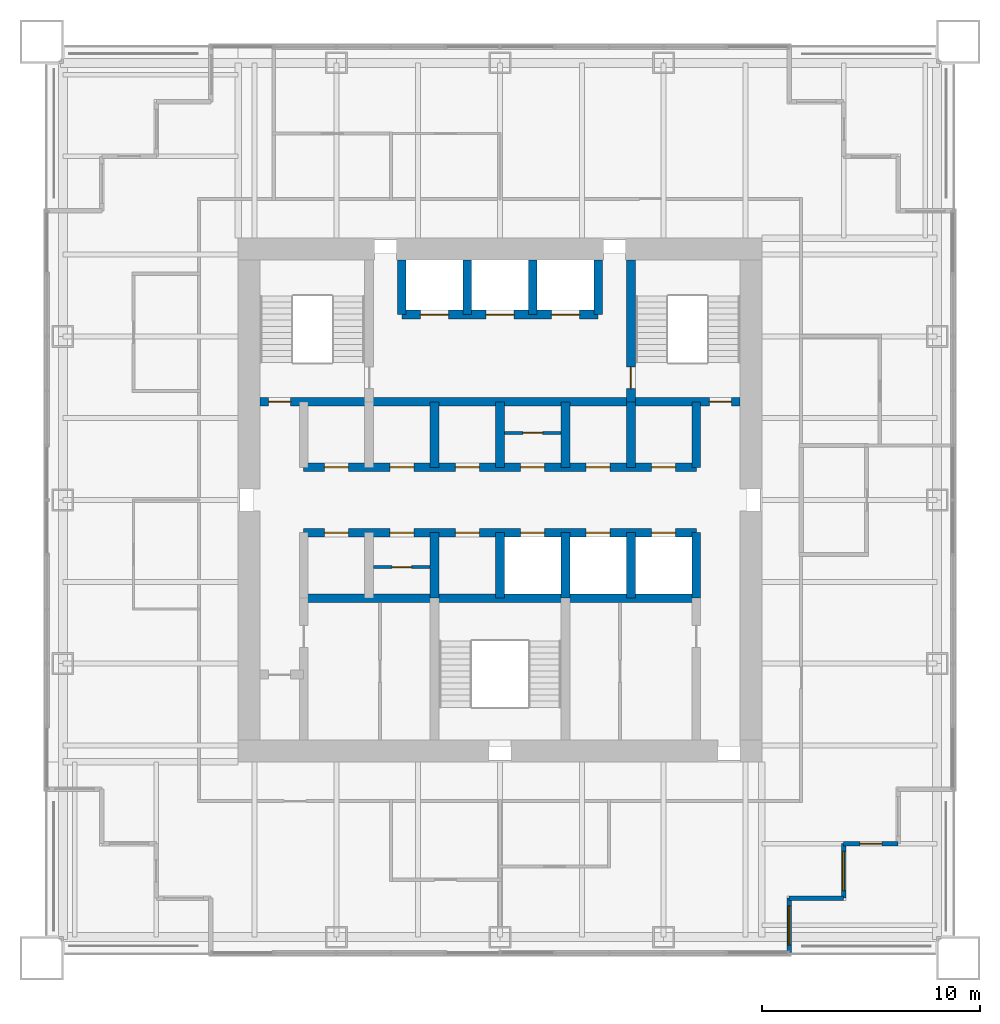
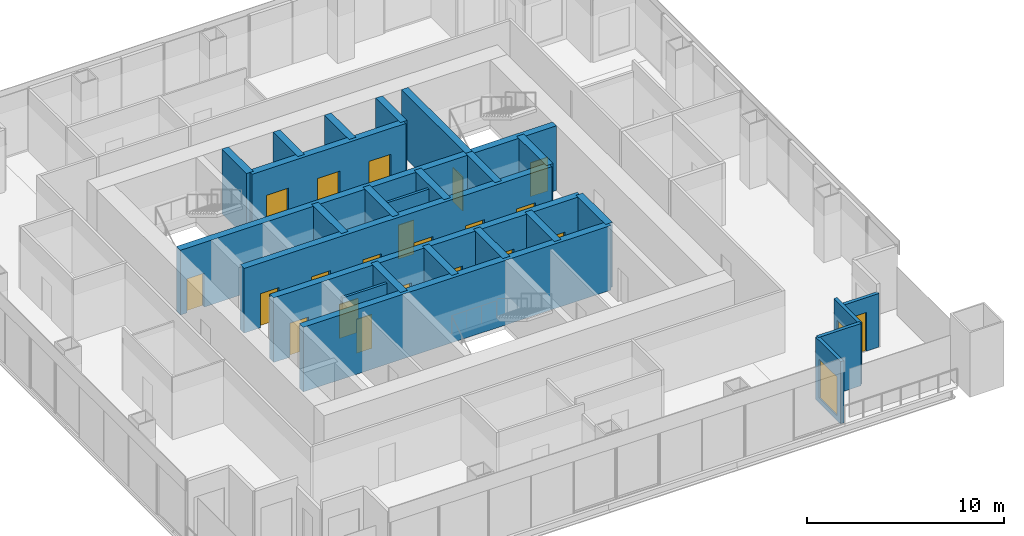
# One storey, part 10 of 14: 26 walls, 21 doors, 2 windows, 23 openings.
"""IFC4 building model written with IfcOpenShell, lengths in metres."""

from ifc_helpers import new_model, si_unit, direction, frame, frame_2d, origin, place, context, subcontext, project, spatial, rectangle, extrude, material, layer, layer_set, type_object, element, fill, save


model = new_model("IFC4")

# Units and contexts
model_context = context("Model", 3, precision=1e-05, world=origin(), true_north=direction((0.0, 1.0)))
body_context = subcontext(model_context, "Body", "Model", "MODEL_VIEW")
ifc_project = project(units=[si_unit("LENGTHUNIT", "METRE"), si_unit("AREAUNIT", "SQUARE_METRE"), si_unit("VOLUMEUNIT", "CUBIC_METRE"), si_unit("PLANEANGLEUNIT", "RADIAN"), si_unit("MASSUNIT", "GRAM", prefix="KILO")], contexts=[model_context])

# Site, building, storey
site_placement = place(None, origin())
site = spatial("IfcSite", under=ifc_project, at=site_placement, CompositionType="ELEMENT")
building_placement = place(site_placement, origin())
building = spatial("IfcBuilding", under=site, at=building_placement, Name="Tarangal Relay Tower", CompositionType="ELEMENT")
storey_placement = place(building_placement, frame((0.0, 0.0, 271.89990234375)))
storey = spatial("IfcBuildingStorey", under=building, at=storey_placement, Name="L59", CompositionType="ELEMENT", Elevation=271.89990234375)

# Wall, openings, doors
ifc_material_1 = material(Name="Concrete fc' 60 MPa", Category="concrete")
ifc_layer_1 = layer(ifc_material_1, 0.39990234375)
ifc_layer_set_1 = layer_set([ifc_layer_1], Name="Core inner wall 400")
wall_type_1 = type_object("IfcWallType", Name="Core inner wall 400", PredefinedType="SHEAR", material=ifc_layer_set_1)
wall_1_placement = place(storey_placement, frame((-11.0, 4.5, 0.0), z_axis=(0.0, 0.0, 1.0), x_axis=(1.0, 0.0, 0.0)))
wall_1 = element("IfcWall", 1, at=wall_1_placement, inside=storey, type_object=wall_type_1, Name="Core wall Y45 L59", PredefinedType="SHEAR", context=body_context, shape_type="SweptSolid", body=[
    extrude(rectangle(XDim=22.0, YDim=0.39990234375, at=frame_2d((11.0, 0.0))), origin(), (0.0, 0.0, 1.0), 4.0),
])
opening_1_placement = place(wall_1_placement, frame((0.39990234375, 0.0, 0.0)))
opening_1 = element("IfcOpeningElement", 2, at=opening_1_placement, cuts=wall_1, Name="Opening FD1", PredefinedType="OPENING", context=body_context, shape_type="SweptSolid", body=[
    extrude(rectangle(XDim=1.0, YDim=2.10009765625, at=frame_2d((0.5, 1.050048828125))), frame((0.0, 0.2099609375, 0.0), z_axis=(0.0, -1.0, 0.0), x_axis=(1.0, 0.0, 0.0)), (0.0, 0.0, 1.0), 0.419921875),
])
opening_2_placement = place(wall_1_placement, frame((20.60009765625, 0.0, 0.0)))
opening_2 = element("IfcOpeningElement", 3, at=opening_2_placement, cuts=wall_1, Name="Opening FD1", PredefinedType="OPENING", context=body_context, shape_type="SweptSolid", body=[
    extrude(rectangle(XDim=1.0, YDim=2.10009765625, at=frame_2d((0.5, 1.050048828125))), frame((0.0, 0.2099609375, 0.0), z_axis=(0.0, -1.0, 0.0), x_axis=(1.0, 0.0, 0.0)), (0.0, 0.0, 1.0), 0.419921875),
])
ifc_material_2 = material(Name="Steel door with hardwood frame", Category="steel")
door_type_1 = type_object("IfcDoorType", Name="Fire door 1000 x 2100", OperationType="SINGLE_SWING_LEFT", PredefinedType="DOOR", material=ifc_material_2)
door_1_placement = place(opening_1_placement, origin())
door_1 = element("IfcDoor", 4, at=door_1_placement, inside=storey, type_object=door_type_1, Name="Stair ST-A door from corridor L59", OperationType="SINGLE_SWING_LEFT", OverallHeight=2.10009765625, OverallWidth=1.0, PredefinedType="DOOR", context=body_context, shape_type="SweptSolid", body=[
    extrude(rectangle(XDim=1.0, YDim=2.10009765625, at=frame_2d((0.5, 1.050048828125))), frame((0.0, 0.02490234375, 0.0), z_axis=(0.0, -1.0, 0.0), x_axis=(1.0, 0.0, 0.0)), (0.0, 0.0, 1.0), 0.050048828125),
])
fill(opening_1, door_1)
door_2_placement = place(opening_2_placement, origin())
door_2 = element("IfcDoor", 5, at=door_2_placement, inside=storey, type_object=door_type_1, Name="Stair ST-B door from corridor L59", OperationType="SINGLE_SWING_LEFT", OverallHeight=2.10009765625, OverallWidth=1.0, PredefinedType="DOOR", context=body_context, shape_type="SweptSolid", body=[
    extrude(rectangle(XDim=1.0, YDim=2.10009765625, at=frame_2d((0.5, 1.050048828125))), frame((0.0, 0.02490234375, 0.0), z_axis=(0.0, -1.0, 0.0), x_axis=(1.0, 0.0, 0.0)), (0.0, 0.0, 1.0), 0.050048828125),
])
fill(opening_2, door_2)

wall_2_placement = place(storey_placement, frame((-9.0, 1.5, 0.0), z_axis=(0.0, 0.0, 1.0), x_axis=(1.0, 0.0, 0.0)))
wall_2 = element("IfcWall", 6, at=wall_2_placement, inside=storey, type_object=wall_type_1, Name="Core wall Y15 L59", PredefinedType="SHEAR", context=body_context, shape_type="SweptSolid", body=[
    extrude(rectangle(XDim=18.0, YDim=0.39990234375, at=frame_2d((9.0, 0.0))), origin(), (0.0, 0.0, 1.0), 4.0),
])
opening_3_placement = place(wall_2_placement, frame((0.949951171875, 0.0, 0.0)))
opening_3 = element("IfcOpeningElement", 7, at=opening_3_placement, cuts=wall_2, Name="Opening D4", PredefinedType="OPENING", context=body_context, shape_type="SweptSolid", body=[
    extrude(rectangle(XDim=1.10009765625, YDim=2.10009765625, at=frame_2d((0.550048828125, 1.050048828125))), frame((0.0, 0.2099609375, 0.0), z_axis=(0.0, -1.0, 0.0), x_axis=(1.0, 0.0, 0.0)), (0.0, 0.0, 1.0), 0.419921875),
])
opening_4_placement = place(wall_2_placement, frame((3.949951171875, 0.0, 0.0)))
opening_4 = element("IfcOpeningElement", 8, at=opening_4_placement, cuts=wall_2, Name="Opening D4", PredefinedType="OPENING", context=body_context, shape_type="SweptSolid", body=[
    extrude(rectangle(XDim=1.10009765625, YDim=2.10009765625, at=frame_2d((0.550048828125, 1.050048828125))), frame((0.0, 0.2099609375, 0.0), z_axis=(0.0, -1.0, 0.0), x_axis=(1.0, 0.0, 0.0)), (0.0, 0.0, 1.0), 0.419921875),
])
opening_5_placement = place(wall_2_placement, frame((6.949951171875, 0.0, 0.0)))
opening_5 = element("IfcOpeningElement", 9, at=opening_5_placement, cuts=wall_2, Name="Opening D4", PredefinedType="OPENING", context=body_context, shape_type="SweptSolid", body=[
    extrude(rectangle(XDim=1.10009765625, YDim=2.10009765625, at=frame_2d((0.550048828125, 1.050048828125))), frame((0.0, 0.2099609375, 0.0), z_axis=(0.0, -1.0, 0.0), x_axis=(1.0, 0.0, 0.0)), (0.0, 0.0, 1.0), 0.419921875),
])
opening_6_placement = place(wall_2_placement, frame((9.949951171875, 0.0, 0.0)))
opening_6 = element("IfcOpeningElement", 10, at=opening_6_placement, cuts=wall_2, Name="Opening D4", PredefinedType="OPENING", context=body_context, shape_type="SweptSolid", body=[
    extrude(rectangle(XDim=1.10009765625, YDim=2.10009765625, at=frame_2d((0.550048828125, 1.050048828125))), frame((0.0, 0.2099609375, 0.0), z_axis=(0.0, -1.0, 0.0), x_axis=(1.0, 0.0, 0.0)), (0.0, 0.0, 1.0), 0.419921875),
])
opening_7_placement = place(wall_2_placement, frame((12.949951171875, 0.0, 0.0)))
opening_7 = element("IfcOpeningElement", 11, at=opening_7_placement, cuts=wall_2, Name="Opening D4", PredefinedType="OPENING", context=body_context, shape_type="SweptSolid", body=[
    extrude(rectangle(XDim=1.10009765625, YDim=2.10009765625, at=frame_2d((0.550048828125, 1.050048828125))), frame((0.0, 0.2099609375, 0.0), z_axis=(0.0, -1.0, 0.0), x_axis=(1.0, 0.0, 0.0)), (0.0, 0.0, 1.0), 0.419921875),
])
opening_8_placement = place(wall_2_placement, frame((15.949951171875, 0.0, 0.0)))
opening_8 = element("IfcOpeningElement", 12, at=opening_8_placement, cuts=wall_2, Name="Opening D4", PredefinedType="OPENING", context=body_context, shape_type="SweptSolid", body=[
    extrude(rectangle(XDim=1.10009765625, YDim=2.10009765625, at=frame_2d((0.550048828125, 1.050048828125))), frame((0.0, 0.2099609375, 0.0), z_axis=(0.0, -1.0, 0.0), x_axis=(1.0, 0.0, 0.0)), (0.0, 0.0, 1.0), 0.419921875),
])
door_type_2 = type_object("IfcDoorType", Name="Core room door 1100 x 2100", OperationType="SINGLE_SWING_RIGHT", PredefinedType="DOOR", material=ifc_material_2)
door_3_placement = place(opening_3_placement, origin())
door_3 = element("IfcDoor", 13, at=door_3_placement, inside=storey, type_object=door_type_2, Name="Door D4 to cleaner's store L59-D1", OperationType="SINGLE_SWING_RIGHT", OverallHeight=2.10009765625, OverallWidth=1.10009765625, PredefinedType="DOOR", context=body_context, shape_type="SweptSolid", body=[
    extrude(rectangle(XDim=1.10009765625, YDim=2.10009765625, at=frame_2d((0.550048828125, 1.050048828125))), frame((0.0, 0.02490234375, 0.0), z_axis=(0.0, -1.0, 0.0), x_axis=(1.0, 0.0, 0.0)), (0.0, 0.0, 1.0), 0.050048828125),
])
fill(opening_3, door_3)
door_4_placement = place(opening_4_placement, origin())
door_4 = element("IfcDoor", 14, at=door_4_placement, inside=storey, type_object=door_type_2, Name="Door D4 to staff wc L59-D2", OperationType="SINGLE_SWING_RIGHT", OverallHeight=2.10009765625, OverallWidth=1.10009765625, PredefinedType="DOOR", context=body_context, shape_type="SweptSolid", body=[
    extrude(rectangle(XDim=1.10009765625, YDim=2.10009765625, at=frame_2d((0.550048828125, 1.050048828125))), frame((0.0, 0.02490234375, 0.0), z_axis=(0.0, -1.0, 0.0), x_axis=(1.0, 0.0, 0.0)), (0.0, 0.0, 1.0), 0.050048828125),
])
fill(opening_4, door_4)
door_5_placement = place(opening_5_placement, origin())
door_5 = element("IfcDoor", 15, at=door_5_placement, inside=storey, type_object=door_type_2, Name="Door D4 to staff pantry L59-D3", OperationType="SINGLE_SWING_RIGHT", OverallHeight=2.10009765625, OverallWidth=1.10009765625, PredefinedType="DOOR", context=body_context, shape_type="SweptSolid", body=[
    extrude(rectangle(XDim=1.10009765625, YDim=2.10009765625, at=frame_2d((0.550048828125, 1.050048828125))), frame((0.0, 0.02490234375, 0.0), z_axis=(0.0, -1.0, 0.0), x_axis=(1.0, 0.0, 0.0)), (0.0, 0.0, 1.0), 0.050048828125),
])
fill(opening_5, door_5)
door_6_placement = place(opening_6_placement, origin())
door_6 = element("IfcDoor", 16, at=door_6_placement, inside=storey, type_object=door_type_2, Name="Door D4 to it room L59-T1", OperationType="SINGLE_SWING_RIGHT", OverallHeight=2.10009765625, OverallWidth=1.10009765625, PredefinedType="DOOR", context=body_context, shape_type="SweptSolid", body=[
    extrude(rectangle(XDim=1.10009765625, YDim=2.10009765625, at=frame_2d((0.550048828125, 1.050048828125))), frame((0.0, 0.02490234375, 0.0), z_axis=(0.0, -1.0, 0.0), x_axis=(1.0, 0.0, 0.0)), (0.0, 0.0, 1.0), 0.050048828125),
])
fill(opening_6, door_6)
door_7_placement = place(opening_7_placement, origin())
door_7 = element("IfcDoor", 17, at=door_7_placement, inside=storey, type_object=door_type_2, Name="Door D4 to cleaner's store L59-T2", OperationType="SINGLE_SWING_RIGHT", OverallHeight=2.10009765625, OverallWidth=1.10009765625, PredefinedType="DOOR", context=body_context, shape_type="SweptSolid", body=[
    extrude(rectangle(XDim=1.10009765625, YDim=2.10009765625, at=frame_2d((0.550048828125, 1.050048828125))), frame((0.0, 0.02490234375, 0.0), z_axis=(0.0, -1.0, 0.0), x_axis=(1.0, 0.0, 0.0)), (0.0, 0.0, 1.0), 0.050048828125),
])
fill(opening_7, door_7)
door_8_placement = place(opening_8_placement, origin())
door_8 = element("IfcDoor", 18, at=door_8_placement, inside=storey, type_object=door_type_2, Name="Door D4 to staff wc L59-T3", OperationType="SINGLE_SWING_RIGHT", OverallHeight=2.10009765625, OverallWidth=1.10009765625, PredefinedType="DOOR", context=body_context, shape_type="SweptSolid", body=[
    extrude(rectangle(XDim=1.10009765625, YDim=2.10009765625, at=frame_2d((0.550048828125, 1.050048828125))), frame((0.0, 0.02490234375, 0.0), z_axis=(0.0, -1.0, 0.0), x_axis=(1.0, 0.0, 0.0)), (0.0, 0.0, 1.0), 0.050048828125),
])
fill(opening_8, door_8)

wall_3_placement = place(storey_placement, frame((-9.0, -1.5, 0.0), z_axis=(0.0, 0.0, 1.0), x_axis=(1.0, 0.0, 0.0)))
wall_3 = element("IfcWall", 19, at=wall_3_placement, inside=storey, type_object=wall_type_1, Name="Core wall YM15 L59", PredefinedType="SHEAR", context=body_context, shape_type="SweptSolid", body=[
    extrude(rectangle(XDim=18.0, YDim=0.39990234375, at=frame_2d((9.0, 0.0))), origin(), (0.0, 0.0, 1.0), 4.0),
])
opening_9_placement = place(wall_3_placement, frame((9.949951171875, 0.0, 0.0)))
opening_9 = element("IfcOpeningElement", 20, at=opening_9_placement, cuts=wall_3, Name="Opening LD1", PredefinedType="OPENING", context=body_context, shape_type="SweptSolid", body=[
    extrude(rectangle(XDim=1.10009765625, YDim=2.10009765625, at=frame_2d((0.550048828125, 1.050048828125))), frame((0.0, 0.2099609375, 0.0), z_axis=(0.0, -1.0, 0.0), x_axis=(1.0, 0.0, 0.0)), (0.0, 0.0, 1.0), 0.419921875),
])
opening_10_placement = place(wall_3_placement, frame((12.949951171875, 0.0, 0.0)))
opening_10 = element("IfcOpeningElement", 21, at=opening_10_placement, cuts=wall_3, Name="Opening LD1", PredefinedType="OPENING", context=body_context, shape_type="SweptSolid", body=[
    extrude(rectangle(XDim=1.10009765625, YDim=2.10009765625, at=frame_2d((0.550048828125, 1.050048828125))), frame((0.0, 0.2099609375, 0.0), z_axis=(0.0, -1.0, 0.0), x_axis=(1.0, 0.0, 0.0)), (0.0, 0.0, 1.0), 0.419921875),
])
opening_11_placement = place(wall_3_placement, frame((15.949951171875, 0.0, 0.0)))
opening_11 = element("IfcOpeningElement", 22, at=opening_11_placement, cuts=wall_3, Name="Opening LD1", PredefinedType="OPENING", context=body_context, shape_type="SweptSolid", body=[
    extrude(rectangle(XDim=1.10009765625, YDim=2.10009765625, at=frame_2d((0.550048828125, 1.050048828125))), frame((0.0, 0.2099609375, 0.0), z_axis=(0.0, -1.0, 0.0), x_axis=(1.0, 0.0, 0.0)), (0.0, 0.0, 1.0), 0.419921875),
])
opening_12_placement = place(wall_3_placement, frame((0.949951171875, 0.0, 0.0)))
opening_12 = element("IfcOpeningElement", 23, at=opening_12_placement, cuts=wall_3, Name="Opening D4", PredefinedType="OPENING", context=body_context, shape_type="SweptSolid", body=[
    extrude(rectangle(XDim=1.10009765625, YDim=2.10009765625, at=frame_2d((0.550048828125, 1.050048828125))), frame((0.0, 0.2099609375, 0.0), z_axis=(0.0, -1.0, 0.0), x_axis=(1.0, 0.0, 0.0)), (0.0, 0.0, 1.0), 0.419921875),
])
opening_13_placement = place(wall_3_placement, frame((3.949951171875, 0.0, 0.0)))
opening_13 = element("IfcOpeningElement", 24, at=opening_13_placement, cuts=wall_3, Name="Opening D4", PredefinedType="OPENING", context=body_context, shape_type="SweptSolid", body=[
    extrude(rectangle(XDim=1.10009765625, YDim=2.10009765625, at=frame_2d((0.550048828125, 1.050048828125))), frame((0.0, 0.2099609375, 0.0), z_axis=(0.0, -1.0, 0.0), x_axis=(1.0, 0.0, 0.0)), (0.0, 0.0, 1.0), 0.419921875),
])
opening_14_placement = place(wall_3_placement, frame((6.949951171875, 0.0, 0.0)))
opening_14 = element("IfcOpeningElement", 25, at=opening_14_placement, cuts=wall_3, Name="Opening D4", PredefinedType="OPENING", context=body_context, shape_type="SweptSolid", body=[
    extrude(rectangle(XDim=1.10009765625, YDim=2.10009765625, at=frame_2d((0.550048828125, 1.050048828125))), frame((0.0, 0.2099609375, 0.0), z_axis=(0.0, -1.0, 0.0), x_axis=(1.0, 0.0, 0.0)), (0.0, 0.0, 1.0), 0.419921875),
])
door_9_placement = place(opening_12_placement, origin())
door_9 = element("IfcDoor", 26, at=door_9_placement, inside=storey, type_object=door_type_2, Name="Door D4 to staff pantry L59-S1", OperationType="SINGLE_SWING_RIGHT", OverallHeight=2.10009765625, OverallWidth=1.10009765625, PredefinedType="DOOR", context=body_context, shape_type="SweptSolid", body=[
    extrude(rectangle(XDim=1.10009765625, YDim=2.10009765625, at=frame_2d((0.550048828125, 1.050048828125))), frame((0.0, 0.02490234375, 0.0), z_axis=(0.0, -1.0, 0.0), x_axis=(1.0, 0.0, 0.0)), (0.0, 0.0, 1.0), 0.050048828125),
])
fill(opening_12, door_9)
door_10_placement = place(opening_13_placement, origin())
door_10 = element("IfcDoor", 27, at=door_10_placement, inside=storey, type_object=door_type_2, Name="Door D4 to it room L59-S2", OperationType="SINGLE_SWING_RIGHT", OverallHeight=2.10009765625, OverallWidth=1.10009765625, PredefinedType="DOOR", context=body_context, shape_type="SweptSolid", body=[
    extrude(rectangle(XDim=1.10009765625, YDim=2.10009765625, at=frame_2d((0.550048828125, 1.050048828125))), frame((0.0, 0.02490234375, 0.0), z_axis=(0.0, -1.0, 0.0), x_axis=(1.0, 0.0, 0.0)), (0.0, 0.0, 1.0), 0.050048828125),
])
fill(opening_13, door_10)
door_11_placement = place(opening_14_placement, origin())
door_11 = element("IfcDoor", 28, at=door_11_placement, inside=storey, type_object=door_type_2, Name="Door D4 to cleaner's store L59-S3", OperationType="SINGLE_SWING_RIGHT", OverallHeight=2.10009765625, OverallWidth=1.10009765625, PredefinedType="DOOR", context=body_context, shape_type="SweptSolid", body=[
    extrude(rectangle(XDim=1.10009765625, YDim=2.10009765625, at=frame_2d((0.550048828125, 1.050048828125))), frame((0.0, 0.02490234375, 0.0), z_axis=(0.0, -1.0, 0.0), x_axis=(1.0, 0.0, 0.0)), (0.0, 0.0, 1.0), 0.050048828125),
])
fill(opening_14, door_11)
door_type_3 = type_object("IfcDoorType", Name="Lift landing door 1100 x 2100", OperationType="SLIDING_TO_LEFT", PredefinedType="DOOR", material=ifc_material_2)
door_12_placement = place(opening_9_placement, origin())
door_12 = element("IfcDoor", 29, at=door_12_placement, inside=storey, type_object=door_type_3, Name="Lift OH1 landing door L59", OperationType="SLIDING_TO_LEFT", OverallHeight=2.10009765625, OverallWidth=1.10009765625, PredefinedType="DOOR", context=body_context, shape_type="SweptSolid", body=[
    extrude(rectangle(XDim=1.10009765625, YDim=2.10009765625, at=frame_2d((0.550048828125, 1.050048828125))), frame((0.0, 0.02490234375, 0.0), z_axis=(0.0, -1.0, 0.0), x_axis=(1.0, 0.0, 0.0)), (0.0, 0.0, 1.0), 0.050048828125),
])
fill(opening_9, door_12)
door_13_placement = place(opening_10_placement, origin())
door_13 = element("IfcDoor", 30, at=door_13_placement, inside=storey, type_object=door_type_3, Name="Lift OH2 landing door L59", OperationType="SLIDING_TO_LEFT", OverallHeight=2.10009765625, OverallWidth=1.10009765625, PredefinedType="DOOR", context=body_context, shape_type="SweptSolid", body=[
    extrude(rectangle(XDim=1.10009765625, YDim=2.10009765625, at=frame_2d((0.550048828125, 1.050048828125))), frame((0.0, 0.02490234375, 0.0), z_axis=(0.0, -1.0, 0.0), x_axis=(1.0, 0.0, 0.0)), (0.0, 0.0, 1.0), 0.050048828125),
])
fill(opening_10, door_13)
door_14_placement = place(opening_11_placement, origin())
door_14 = element("IfcDoor", 31, at=door_14_placement, inside=storey, type_object=door_type_3, Name="Lift OH3 landing door L59", OperationType="SLIDING_TO_LEFT", OverallHeight=2.10009765625, OverallWidth=1.10009765625, PredefinedType="DOOR", context=body_context, shape_type="SweptSolid", body=[
    extrude(rectangle(XDim=1.10009765625, YDim=2.10009765625, at=frame_2d((0.550048828125, 1.050048828125))), frame((0.0, 0.02490234375, 0.0), z_axis=(0.0, -1.0, 0.0), x_axis=(1.0, 0.0, 0.0)), (0.0, 0.0, 1.0), 0.050048828125),
])
fill(opening_11, door_14)

# Wall
wall_4_placement = place(storey_placement, frame((-9.0, -4.5, 0.0), z_axis=(0.0, 0.0, 1.0), x_axis=(1.0, 0.0, 0.0)))
element("IfcWall", 32, at=wall_4_placement, inside=storey, type_object=wall_type_1, Name="Core wall YM45 L59", PredefinedType="SHEAR", context=body_context, shape_type="SweptSolid", body=[
    extrude(rectangle(XDim=18.0, YDim=0.39990234375, at=frame_2d((9.0, 0.0))), origin(), (0.0, 0.0, 1.0), 4.0),
])

# Wall, openings, doors
wall_5_placement = place(storey_placement, frame((-4.5, 8.5, 0.0), z_axis=(0.0, 0.0, 1.0), x_axis=(1.0, 0.0, 0.0)))
wall_5 = element("IfcWall", 33, at=wall_5_placement, inside=storey, type_object=wall_type_1, Name="Core wall Y85 L59", PredefinedType="SHEAR", context=body_context, shape_type="SweptSolid", body=[
    extrude(rectangle(XDim=9.0, YDim=0.39990234375, at=frame_2d((4.5, 0.0))), origin(), (0.0, 0.0, 1.0), 4.0),
])
opening_15_placement = place(wall_5_placement, frame((0.85009765625, 0.0, 0.0)))
opening_15 = element("IfcOpeningElement", 34, at=opening_15_placement, cuts=wall_5, Name="Opening LD2", PredefinedType="OPENING", context=body_context, shape_type="SweptSolid", body=[
    extrude(rectangle(XDim=1.300048828125, YDim=2.39990234375, at=frame_2d((0.64990234375, 1.199951171875))), frame((0.0, 0.2099609375, 0.0), z_axis=(0.0, -1.0, 0.0), x_axis=(1.0, 0.0, 0.0)), (0.0, 0.0, 1.0), 0.419921875),
])
opening_16_placement = place(wall_5_placement, frame((6.85009765625, 0.0, 0.0)))
opening_16 = element("IfcOpeningElement", 35, at=opening_16_placement, cuts=wall_5, Name="Opening LD2", PredefinedType="OPENING", context=body_context, shape_type="SweptSolid", body=[
    extrude(rectangle(XDim=1.300048828125, YDim=2.39990234375, at=frame_2d((0.64990234375, 1.199951171875))), frame((0.0, 0.2099609375, 0.0), z_axis=(0.0, -1.0, 0.0), x_axis=(1.0, 0.0, 0.0)), (0.0, 0.0, 1.0), 0.419921875),
])
opening_17_placement = place(wall_5_placement, frame((3.85009765625, 0.0, 0.0)))
opening_17 = element("IfcOpeningElement", 36, at=opening_17_placement, cuts=wall_5, Name="Opening LD2", PredefinedType="OPENING", context=body_context, shape_type="SweptSolid", body=[
    extrude(rectangle(XDim=1.300048828125, YDim=2.39990234375, at=frame_2d((0.64990234375, 1.199951171875))), frame((0.0, 0.2099609375, 0.0), z_axis=(0.0, -1.0, 0.0), x_axis=(1.0, 0.0, 0.0)), (0.0, 0.0, 1.0), 0.419921875),
])
door_type_4 = type_object("IfcDoorType", Name="Lift landing door 1300 x 2400", OperationType="SLIDING_TO_LEFT", PredefinedType="DOOR", material=ifc_material_2)
door_15_placement = place(opening_15_placement, origin())
door_15 = element("IfcDoor", 37, at=door_15_placement, inside=storey, type_object=door_type_4, Name="Lift FF1 landing door L59", OperationType="SLIDING_TO_LEFT", OverallHeight=2.39990234375, OverallWidth=1.300048828125, PredefinedType="DOOR", context=body_context, shape_type="SweptSolid", body=[
    extrude(rectangle(XDim=1.300048828125, YDim=2.39990234375, at=frame_2d((0.64990234375, 1.199951171875))), frame((0.0, 0.02490234375, 0.0), z_axis=(0.0, -1.0, 0.0), x_axis=(1.0, 0.0, 0.0)), (0.0, 0.0, 1.0), 0.050048828125),
])
fill(opening_15, door_15)
door_16_placement = place(opening_16_placement, origin())
door_16 = element("IfcDoor", 38, at=door_16_placement, inside=storey, type_object=door_type_4, Name="Lift FF2 landing door L59", OperationType="SLIDING_TO_LEFT", OverallHeight=2.39990234375, OverallWidth=1.300048828125, PredefinedType="DOOR", context=body_context, shape_type="SweptSolid", body=[
    extrude(rectangle(XDim=1.300048828125, YDim=2.39990234375, at=frame_2d((0.64990234375, 1.199951171875))), frame((0.0, 0.02490234375, 0.0), z_axis=(0.0, -1.0, 0.0), x_axis=(1.0, 0.0, 0.0)), (0.0, 0.0, 1.0), 0.050048828125),
])
fill(opening_16, door_16)
door_17_placement = place(opening_17_placement, origin())
door_17 = element("IfcDoor", 39, at=door_17_placement, inside=storey, type_object=door_type_4, Name="Lift SV1 landing door L59", OperationType="SLIDING_TO_LEFT", OverallHeight=2.39990234375, OverallWidth=1.300048828125, PredefinedType="DOOR", context=body_context, shape_type="SweptSolid", body=[
    extrude(rectangle(XDim=1.300048828125, YDim=2.39990234375, at=frame_2d((0.64990234375, 1.199951171875))), frame((0.0, 0.02490234375, 0.0), z_axis=(0.0, -1.0, 0.0), x_axis=(1.0, 0.0, 0.0)), (0.0, 0.0, 1.0), 0.050048828125),
])
fill(opening_17, door_17)

# Walls
for number, where, z_axis, x_axis, name in (
    (40, (9.0, 1.5, 0.0), (0.0, 0.0, 1.0), (0.0, 1.0, 0.0), "Core wall X9N L59"),
    (41, (9.0, -4.5, 0.0), (0.0, 0.0, 1.0), (0.0, 1.0, 0.0), "Core wall X9S L59"),
    (42, (-3.0, 1.5, 0.0), (0.0, 0.0, 1.0), (0.0, 1.0, 0.0), "Core wall XM3N L59"),
    (43, (0.0, 1.5, 0.0), (0.0, 0.0, 1.0), (0.0, 1.0, 0.0), "Core wall X0N L59"),
    (44, (3.0, 1.5, 0.0), (0.0, 0.0, 1.0), (0.0, 1.0, 0.0), "Core wall X3N L59"),
    (45, (6.0, 1.5, 0.0), (0.0, 0.0, 1.0), (0.0, 1.0, 0.0), "Core wall X6N L59"),
    (46, (-3.0, -4.5, 0.0), (0.0, 0.0, 1.0), (0.0, 1.0, 0.0), "Core wall XM3S L59"),
    (47, (0.0, -4.5, 0.0), (0.0, 0.0, 1.0), (0.0, 1.0, 0.0), "Core wall X0S L59"),
    (48, (3.0, -4.5, 0.0), (0.0, 0.0, 1.0), (0.0, 1.0, 0.0), "Core wall X3S L59"),
    (49, (6.0, -4.5, 0.0), (0.0, 0.0, 1.0), (0.0, 1.0, 0.0), "Core wall X6S L59"),
):
    element("IfcWall", number, at=place(storey_placement, frame(where, z_axis=z_axis, x_axis=x_axis)), inside=storey, type_object=wall_type_1, Name=name, PredefinedType="SHEAR", context=body_context, shape_type="SweptSolid", body=[
        extrude(rectangle(XDim=3.0, YDim=0.39990234375, at=frame_2d((1.5, 0.0))), origin(), (0.0, 0.0, 1.0), 4.0),
    ])

# Wall, opening, door
wall_6_placement = place(storey_placement, frame((6.0, 4.5, 0.0), z_axis=(0.0, 0.0, 1.0), x_axis=(0.0, 1.0, 0.0)))
wall_6 = element("IfcWall", 50, at=wall_6_placement, inside=storey, type_object=wall_type_1, Name="Core wall X6 L59", PredefinedType="SHEAR", context=body_context, shape_type="SweptSolid", body=[
    extrude(rectangle(XDim=6.5, YDim=0.39990234375, at=frame_2d((3.25, 0.0))), origin(), (0.0, 0.0, 1.0), 4.0),
])
opening_18_placement = place(wall_6_placement, frame((0.60009765625, 0.0, 0.0)))
opening_18 = element("IfcOpeningElement", 51, at=opening_18_placement, cuts=wall_6, Name="Opening FD1", PredefinedType="OPENING", context=body_context, shape_type="SweptSolid", body=[
    extrude(rectangle(XDim=1.0, YDim=2.10009765625, at=frame_2d((0.5, 1.050048828125))), frame((0.0, 0.2099609375, 0.0), z_axis=(0.0, -1.0, 0.0), x_axis=(1.0, 0.0, 0.0)), (0.0, 0.0, 1.0), 0.419921875),
])
door_18_placement = place(opening_18_placement, origin())
door_18 = element("IfcDoor", 52, at=door_18_placement, inside=storey, type_object=door_type_1, Name="Stair ST-B door from fire-fighting lobby L59", OperationType="SINGLE_SWING_LEFT", OverallHeight=2.10009765625, OverallWidth=1.0, PredefinedType="DOOR", context=body_context, shape_type="SweptSolid", body=[
    extrude(rectangle(XDim=1.0, YDim=2.10009765625, at=frame_2d((0.5, 1.050048828125))), frame((0.0, 0.02490234375, 0.0), z_axis=(0.0, -1.0, 0.0), x_axis=(1.0, 0.0, 0.0)), (0.0, 0.0, 1.0), 0.050048828125),
])
fill(opening_18, door_18)

# Walls
for number, where, z_axis, x_axis, name in (
    (53, (-4.5, 8.5, 0.0), (0.0, 0.0, 1.0), (0.0, 1.0, 0.0), "Core wall XM45 L59"),
    (54, (4.5, 8.5, 0.0), (0.0, 0.0, 1.0), (0.0, 1.0, 0.0), "Core wall X45 L59"),
    (55, (-1.5, 8.5, 0.0), (0.0, 0.0, 1.0), (0.0, 1.0, 0.0), "Core wall XM15 L59"),
    (56, (1.5, 8.5, 0.0), (0.0, 0.0, 1.0), (0.0, 1.0, 0.0), "Core wall X15 L59"),
):
    element("IfcWall", number, at=place(storey_placement, frame(where, z_axis=z_axis, x_axis=x_axis)), inside=storey, type_object=wall_type_1, Name=name, PredefinedType="SHEAR", context=body_context, shape_type="SweptSolid", body=[
        extrude(rectangle(XDim=2.5, YDim=0.39990234375, at=frame_2d((1.25, 0.0))), origin(), (0.0, 0.0, 1.0), 4.0),
    ])

# Wall, opening, door
ifc_material_3 = material(Name="Black metal clad insulated wall", Category="steel")
ifc_layer_2 = layer(ifc_material_3, 0.199951171875)
ifc_layer_set_2 = layer_set([ifc_layer_2], Name="Corner wall metal clad 200")
wall_type_2 = type_object("IfcWallType", Name="Corner wall metal clad 200", PredefinedType="SOLIDWALL", material=ifc_layer_set_2)
wall_7_placement = place(storey_placement, frame((18.25, -15.75, 0.0), z_axis=(0.0, 0.0, 1.0), x_axis=(-1.0, 0.0, 0.0)))
wall_7 = element("IfcWall", 57, at=wall_7_placement, inside=storey, type_object=wall_type_2, Name="Facade wall E facade L59", PredefinedType="SOLIDWALL", context=body_context, shape_type="SweptSolid", body=[
    extrude(rectangle(XDim=2.5, YDim=0.199951171875, at=frame_2d((1.25, 0.0))), origin(), (0.0, 0.0, 1.0), 3.316650390625),
])
opening_19_placement = place(wall_7_placement, frame((0.75, 0.0, 0.0)))
opening_19 = element("IfcOpeningElement", 58, at=opening_19_placement, cuts=wall_7, Name="Opening TD1", PredefinedType="OPENING", context=body_context, shape_type="SweptSolid", body=[
    extrude(rectangle(XDim=1.0, YDim=2.39990234375, at=frame_2d((0.5, 1.199951171875))), frame((0.0, 0.10986328125, 0.0), z_axis=(0.0, -1.0, 0.0), x_axis=(1.0, 0.0, 0.0)), (0.0, 0.0, 1.0), 0.219970703125),
])
ifc_material_4 = material(Name="Aluminium glazed door", Category="aluminium")
door_type_5 = type_object("IfcDoorType", Name="Terrace door 1000 x 2400", OperationType="SINGLE_SWING_RIGHT", PredefinedType="DOOR", material=ifc_material_4)
door_19_placement = place(opening_19_placement, origin())
door_19 = element("IfcDoor", 59, at=door_19_placement, inside=storey, type_object=door_type_5, Name="Terrace door TD1 SE L59", OperationType="SINGLE_SWING_RIGHT", OverallHeight=2.39990234375, OverallWidth=1.0, PredefinedType="DOOR", context=body_context, shape_type="SweptSolid", body=[
    extrude(rectangle(XDim=1.0, YDim=2.39990234375, at=frame_2d((0.5, 1.199951171875))), frame((0.0, 0.02490234375, 0.0), z_axis=(0.0, -1.0, 0.0), x_axis=(1.0, 0.0, 0.0)), (0.0, 0.0, 1.0), 0.050048828125),
])
fill(opening_19, door_19)

# Wall, opening, window
wall_8_placement = place(storey_placement, frame((15.75, -15.75, 0.0), z_axis=(0.0, 0.0, 1.0), x_axis=(0.0, -1.0, 0.0)))
wall_8 = element("IfcWall", 60, at=wall_8_placement, inside=storey, type_object=wall_type_2, Name="Facade wall E facade L59", PredefinedType="SOLIDWALL", context=body_context, shape_type="SweptSolid", body=[
    extrude(rectangle(XDim=2.5, YDim=0.199951171875, at=frame_2d((1.25, 0.0))), origin(), (0.0, 0.0, 1.0), 3.85009765625),
])
opening_20_placement = place(wall_8_placement, frame((0.35009765625, 0.0, 0.300048828125)))
opening_20 = element("IfcOpeningElement", 61, at=opening_20_placement, cuts=wall_8, Name="Opening WN2", PredefinedType="OPENING", context=body_context, shape_type="SweptSolid", body=[
    extrude(rectangle(XDim=1.800048828125, YDim=2.39990234375, at=frame_2d((0.89990234375, 1.199951171875))), frame((0.0, 0.10986328125, 0.0), z_axis=(0.0, -1.0, 0.0), x_axis=(1.0, 0.0, 0.0)), (0.0, 0.0, 1.0), 0.219970703125),
])
ifc_material_5 = material(Name="Dark tinted double glazing in black aluminium frame", Category="aluminium")
window_type = type_object("IfcWindowType", Name="Corner window 1800 x 2400", PartitioningType="SINGLE_PANEL", PredefinedType="WINDOW", material=ifc_material_5)
window_1_placement = place(opening_20_placement, origin())
window_1 = element("IfcWindow", 62, at=window_1_placement, inside=storey, type_object=window_type, Name="Corner window WN2 E facade L59", OverallHeight=2.39990234375, OverallWidth=1.800048828125, PartitioningType="SINGLE_PANEL", PredefinedType="WINDOW", context=body_context, shape_type="SweptSolid", body=[
    extrude(rectangle(XDim=1.800048828125, YDim=2.39990234375, at=frame_2d((0.89990234375, 1.199951171875))), frame((0.0, 0.030029296875, 0.0), z_axis=(0.0, -1.0, 0.0), x_axis=(1.0, 0.0, 0.0)), (0.0, 0.0, 1.0), 0.06005859375),
])
fill(opening_20, window_1)

# Wall
wall_9_placement = place(storey_placement, frame((15.75, -18.25, 0.0), z_axis=(0.0, 0.0, 1.0), x_axis=(-1.0, 0.0, 0.0)))
element("IfcWall", 63, at=wall_9_placement, inside=storey, type_object=wall_type_2, Name="Facade wall E facade L59", PredefinedType="SOLIDWALL", context=body_context, shape_type="SweptSolid", body=[
    extrude(rectangle(XDim=2.5, YDim=0.199951171875, at=frame_2d((1.25, 0.0))), origin(), (0.0, 0.0, 1.0), 3.85009765625),
])

# Wall, opening, window
wall_10_placement = place(storey_placement, frame((13.25, -18.25, 0.0), z_axis=(0.0, 0.0, 1.0), x_axis=(0.0, -1.0, 0.0)))
wall_10 = element("IfcWall", 64, at=wall_10_placement, inside=storey, type_object=wall_type_2, Name="Facade wall E facade L59", PredefinedType="SOLIDWALL", context=body_context, shape_type="SweptSolid", body=[
    extrude(rectangle(XDim=2.5, YDim=0.199951171875, at=frame_2d((1.25, 0.0))), origin(), (0.0, 0.0, 1.0), 3.85009765625),
])
opening_21_placement = place(wall_10_placement, frame((0.35009765625, 0.0, 0.300048828125)))
opening_21 = element("IfcOpeningElement", 65, at=opening_21_placement, cuts=wall_10, Name="Opening WN2", PredefinedType="OPENING", context=body_context, shape_type="SweptSolid", body=[
    extrude(rectangle(XDim=1.800048828125, YDim=2.39990234375, at=frame_2d((0.89990234375, 1.199951171875))), frame((0.0, 0.10986328125, 0.0), z_axis=(0.0, -1.0, 0.0), x_axis=(1.0, 0.0, 0.0)), (0.0, 0.0, 1.0), 0.219970703125),
])
window_2_placement = place(opening_21_placement, origin())
window_2 = element("IfcWindow", 66, at=window_2_placement, inside=storey, type_object=window_type, Name="Corner window WN2 E facade L59", OverallHeight=2.39990234375, OverallWidth=1.800048828125, PartitioningType="SINGLE_PANEL", PredefinedType="WINDOW", context=body_context, shape_type="SweptSolid", body=[
    extrude(rectangle(XDim=1.800048828125, YDim=2.39990234375, at=frame_2d((0.89990234375, 1.199951171875))), frame((0.0, 0.030029296875, 0.0), z_axis=(0.0, -1.0, 0.0), x_axis=(1.0, 0.0, 0.0)), (0.0, 0.0, 1.0), 0.06005859375),
])
fill(opening_21, window_2)

# Wall, opening, door
ifc_material_6 = material(Name="Gypsum board on steel studs", Category="steel")
ifc_layer_3 = layer(ifc_material_6, 0.14990234375)
ifc_layer_set_3 = layer_set([ifc_layer_3], Name="Partition 150")
wall_type_3 = type_object("IfcWallType", Name="Partition 150", PredefinedType="PARTITIONING", material=ifc_layer_set_3)
wall_11_placement = place(storey_placement, frame((0.199951171875, 3.074951171875, 0.0), z_axis=(0.0, 0.0, 1.0), x_axis=(1.0, 0.0, 0.0)))
wall_11 = element("IfcWall", 67, at=wall_11_placement, inside=storey, type_object=wall_type_3, Name="Partition PT1 L59", PredefinedType="PARTITIONING", context=body_context, shape_type="SweptSolid", body=[
    extrude(rectangle(XDim=2.60009765625, YDim=0.14990234375, at=frame_2d((1.300048828125, 0.0))), origin(), (0.0, 0.0, 1.0), 3.75),
])
opening_22_placement = place(wall_11_placement, frame((0.85009765625, 0.0, 0.0)))
opening_22 = element("IfcOpeningElement", 68, at=opening_22_placement, cuts=wall_11, Name="Opening D5", PredefinedType="OPENING", context=body_context, shape_type="SweptSolid", body=[
    extrude(rectangle(XDim=0.89990234375, YDim=2.10009765625, at=frame_2d((0.449951171875, 1.050048828125))), frame((0.0, 0.0849609375, 0.0), z_axis=(0.0, -1.0, 0.0), x_axis=(1.0, 0.0, 0.0)), (0.0, 0.0, 1.0), 0.169921875),
])
ifc_material_7 = material(Name="Hardwood door", Category="wood")
door_type_6 = type_object("IfcDoorType", Name="Cupboard door 900 x 2100", OperationType="SINGLE_SWING_LEFT", PredefinedType="DOOR", material=ifc_material_7)
door_20_placement = place(opening_22_placement, origin())
door_20 = element("IfcDoor", 69, at=door_20_placement, inside=storey, type_object=door_type_6, Name="Door D5 to it patch cupboard L59-T1B", OperationType="SINGLE_SWING_LEFT", OverallHeight=2.10009765625, OverallWidth=0.89990234375, PredefinedType="DOOR", context=body_context, shape_type="SweptSolid", body=[
    extrude(rectangle(XDim=0.89990234375, YDim=2.10009765625, at=frame_2d((0.449951171875, 1.050048828125))), frame((0.0, 0.02490234375, 0.0), z_axis=(0.0, -1.0, 0.0), x_axis=(1.0, 0.0, 0.0)), (0.0, 0.0, 1.0), 0.050048828125),
])
fill(opening_22, door_20)

wall_12_placement = place(storey_placement, frame((-5.800048828125, -3.074951171875, 0.0), z_axis=(0.0, 0.0, 1.0), x_axis=(1.0, 0.0, 0.0)))
wall_12 = element("IfcWall", 70, at=wall_12_placement, inside=storey, type_object=wall_type_3, Name="Partition PT1 L59", PredefinedType="PARTITIONING", context=body_context, shape_type="SweptSolid", body=[
    extrude(rectangle(XDim=2.60009765625, YDim=0.14990234375, at=frame_2d((1.300048828125, 0.0))), origin(), (0.0, 0.0, 1.0), 3.75),
])
opening_23_placement = place(wall_12_placement, frame((0.85009765625, 0.0, 0.0)))
opening_23 = element("IfcOpeningElement", 71, at=opening_23_placement, cuts=wall_12, Name="Opening D5", PredefinedType="OPENING", context=body_context, shape_type="SweptSolid", body=[
    extrude(rectangle(XDim=0.89990234375, YDim=2.10009765625, at=frame_2d((0.449951171875, 1.050048828125))), frame((0.0, 0.0849609375, 0.0), z_axis=(0.0, -1.0, 0.0), x_axis=(1.0, 0.0, 0.0)), (0.0, 0.0, 1.0), 0.169921875),
])
door_21_placement = place(opening_23_placement, origin())
door_21 = element("IfcDoor", 72, at=door_21_placement, inside=storey, type_object=door_type_6, Name="Door D5 to it patch cupboard L59-S2B", OperationType="SINGLE_SWING_LEFT", OverallHeight=2.10009765625, OverallWidth=0.89990234375, PredefinedType="DOOR", context=body_context, shape_type="SweptSolid", body=[
    extrude(rectangle(XDim=0.89990234375, YDim=2.10009765625, at=frame_2d((0.449951171875, 1.050048828125))), frame((0.0, 0.02490234375, 0.0), z_axis=(0.0, -1.0, 0.0), x_axis=(1.0, 0.0, 0.0)), (0.0, 0.0, 1.0), 0.050048828125),
])
fill(opening_23, door_21)

save(model, "model.ifc")
